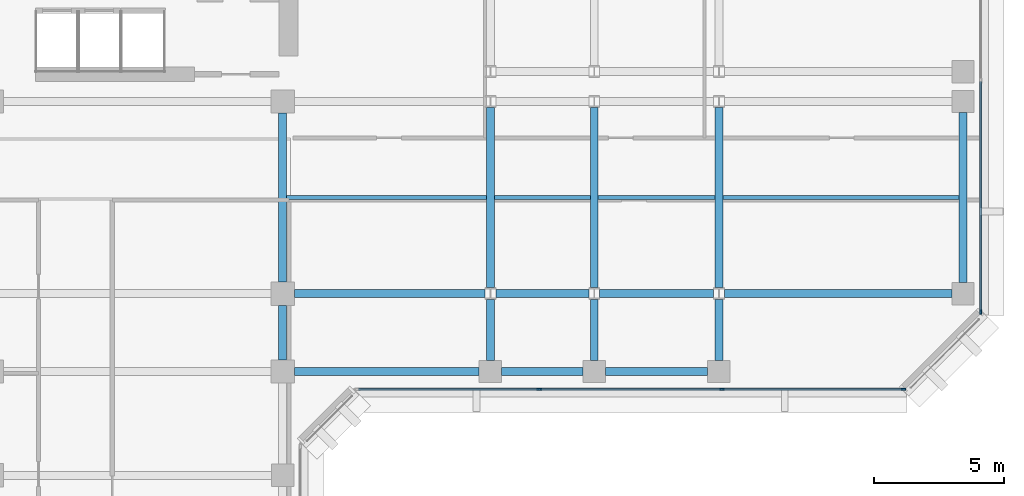
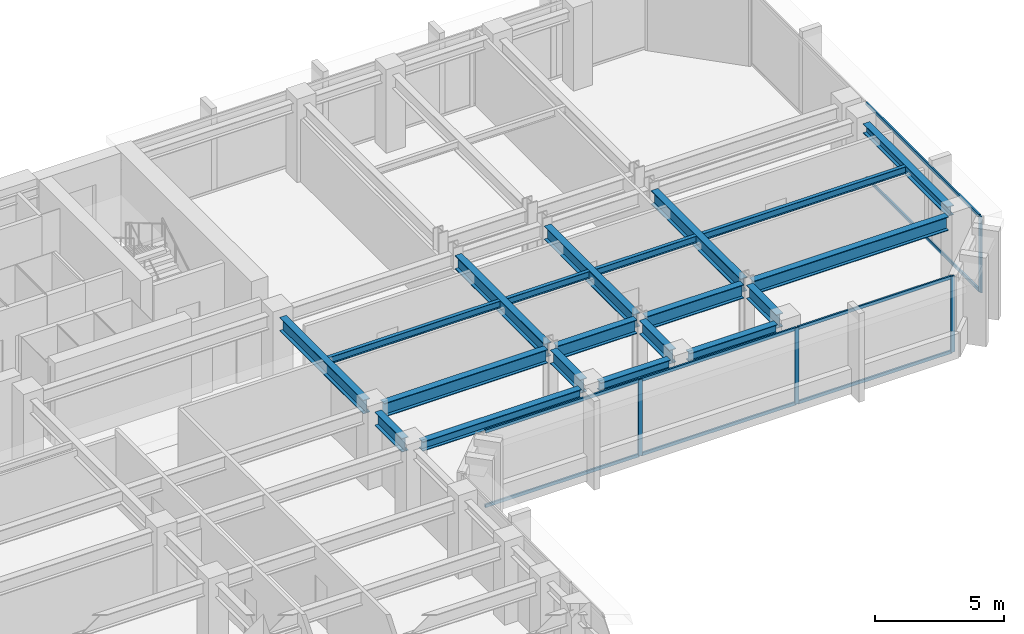
# One storey, part 3 of 11: 20 beams, 12 members, 2 elements without a shape of their own.
"""IFC4 building model written with IfcOpenShell, lengths in metres."""

from ifc_helpers import new_model, si_unit, direction, frame, origin, origin_2d, place, context, subcontext, project, spatial, rectangle, i_section, extrude, material, layer, layer_set, material_profile, profile_set, type_object, element, aggregate, save


model = new_model("IFC4")

# Units and contexts
model_context = context("Model", 3, precision=1e-05, world=origin(), true_north=direction((0.0, 1.0)))
body_context = subcontext(model_context, "Body", "Model", "MODEL_VIEW")
ifc_project = project(units=[si_unit("LENGTHUNIT", "METRE"), si_unit("AREAUNIT", "SQUARE_METRE"), si_unit("VOLUMEUNIT", "CUBIC_METRE"), si_unit("PLANEANGLEUNIT", "RADIAN"), si_unit("MASSUNIT", "GRAM", prefix="KILO")], contexts=[model_context])

# Site, building, storey
site_placement = place(None, origin())
site = spatial("IfcSite", under=ifc_project, at=site_placement, CompositionType="ELEMENT")
building_placement = place(site_placement, origin())
building = spatial("IfcBuilding", under=site, at=building_placement, Name="Kefirva Bronze Tower", CompositionType="ELEMENT")
storey_placement = place(building_placement, frame((0.0, 0.0, 170.610107421875)))
storey = spatial("IfcBuildingStorey", under=building, at=storey_placement, Name="L41", CompositionType="ELEMENT", Elevation=170.610107421875)

# Curtain wall, members
ifc_material_1 = material(Name="Bronze anodised aluminium", Category="aluminium")
ifc_layer = layer(ifc_material_1, 0.199951171875, Name="Bronze anodised aluminium")
ifc_layer_set = layer_set([ifc_layer], Name="Bronze anodised aluminium")
curtain_wall_type = type_object("IfcCurtainWallType", Name="Unitised Bronze Ribbon Curtain Wall Zone 2", PredefinedType="USERDEFINED", material=ifc_layer_set)
curtain_wall_1_placement = place(storey_placement, origin())
curtain_wall_1 = element("IfcCurtainWall", 1, at=curtain_wall_1_placement, inside=storey, type_object=curtain_wall_type, Name="L41 Curtain Wall 3", ObjectType="UNITISED CURTAIN WALL", PredefinedType="USERDEFINED")
ifc_material_profile_1 = material_profile(ifc_material_1, rectangle(XDim=0.074951171875, YDim=0.179931640625, at=origin_2d()), Name="ALU 75x180")
ifc_profile_set_1 = profile_set([ifc_material_profile_1], Name="Bronze anodised aluminium")
member_type_1 = type_object("IfcMemberType", Name="Bronze Mullion 75x180", PredefinedType="MULLION", material=ifc_profile_set_1)
member_1_placement = place(storey_placement, frame((33.0849609375, 22.1201171875, 0.0), z_axis=(0.0, 0.0, 1.0), x_axis=(0.0, 1.0, 0.0)))
member_1 = element("IfcMember", 2, at=member_1_placement, type_object=member_type_1, Name="CW-02 mullion 2", PredefinedType="MULLION", context=body_context, shape_type="SweptSolid", body=[
    extrude(rectangle(XDim=0.074951171875, YDim=0.179931640625, at=origin_2d()), origin(), (0.0, 0.0, 1.0), 3.60986328125),
])
member_2_placement = place(storey_placement, frame((40.114990234375, 22.1201171875, 0.0), z_axis=(0.0, 0.0, 1.0), x_axis=(0.0, 1.0, 0.0)))
member_2 = element("IfcMember", 3, at=member_2_placement, type_object=member_type_1, Name="CW-02 mullion 3", PredefinedType="MULLION", context=body_context, shape_type="SweptSolid", body=[
    extrude(rectangle(XDim=0.074951171875, YDim=0.179931640625, at=origin_2d()), origin(), (0.0, 0.0, 1.0), 3.60986328125),
])
member_3_placement = place(storey_placement, frame((47.107421875, 22.1201171875, 0.0), z_axis=(0.0, 0.0, 1.0), x_axis=(0.0, 1.0, 0.0)))
member_3 = element("IfcMember", 4, at=member_3_placement, type_object=member_type_1, Name="CW-02 mullion 4", PredefinedType="MULLION", context=body_context, shape_type="SweptSolid", body=[
    extrude(rectangle(XDim=0.074951171875, YDim=0.179931640625, at=origin_2d()), origin(), (0.0, 0.0, 1.0), 3.60986328125),
])

# Curtain wall, member
curtain_wall_2_placement = place(storey_placement, origin())
curtain_wall_2 = element("IfcCurtainWall", 5, at=curtain_wall_2_placement, inside=storey, type_object=curtain_wall_type, Name="L41 Curtain Wall 4", ObjectType="UNITISED CURTAIN WALL", PredefinedType="USERDEFINED")
member_4_placement = place(storey_placement, frame((50.080078125, 25.092529296875, 0.0), z_axis=(0.0, 0.0, 1.0), x_axis=(-1.0, 0.0, 0.0)))
member_4 = element("IfcMember", 6, at=member_4_placement, type_object=member_type_1, Name="CW-02 mullion 1", PredefinedType="MULLION", context=body_context, shape_type="SweptSolid", body=[
    extrude(rectangle(XDim=0.074951171875, YDim=0.179931640625, at=origin_2d()), origin(), (0.0, 0.0, 1.0), 3.60986328125),
])

# Member
ifc_material_profile_2 = material_profile(ifc_material_1, rectangle(XDim=0.074951171875, YDim=0.14990234375, at=origin_2d()), Name="ALU 75x150")
ifc_profile_set_2 = profile_set([ifc_material_profile_2], Name="Bronze anodised aluminium")
member_type_2 = type_object("IfcMemberType", Name="Bronze Transom 75x150", PredefinedType="USERDEFINED", material=ifc_profile_set_2)
member_5_placement = place(storey_placement, frame((26.1298828125, 22.1201171875, 0.037353515625), z_axis=(1.0, 0.0, 0.0), x_axis=(0.0, 1.0, 0.0)))
member_5 = element("IfcMember", 7, at=member_5_placement, type_object=member_type_2, Name="CW-02 transom 1.1", ObjectType="TRANSOM", PredefinedType="USERDEFINED", context=body_context, shape_type="SweptSolid", body=[
    extrude(rectangle(XDim=0.074951171875, YDim=0.14990234375, at=origin_2d()), origin(), (0.0, 0.0, 1.0), 6.917724609375),
])

member_6_placement = place(storey_placement, frame((26.1298828125, 22.1201171875, 3.572509765625), z_axis=(1.0, 0.0, 0.0), x_axis=(0.0, 1.0, 0.0)))
member_6 = element("IfcMember", 8, at=member_6_placement, type_object=member_type_2, Name="CW-02 transom 1.2", ObjectType="TRANSOM", PredefinedType="USERDEFINED", context=body_context, shape_type="SweptSolid", body=[
    extrude(rectangle(XDim=0.074951171875, YDim=0.14990234375, at=origin_2d()), origin(), (0.0, 0.0, 1.0), 6.917724609375),
])

member_7_placement = place(storey_placement, frame((33.12255859375, 22.1201171875, 0.037353515625), z_axis=(1.0, 0.0, 0.0), x_axis=(0.0, 1.0, 0.0)))
member_7 = element("IfcMember", 9, at=member_7_placement, type_object=member_type_2, Name="CW-02 transom 2.1", ObjectType="TRANSOM", PredefinedType="USERDEFINED", context=body_context, shape_type="SweptSolid", body=[
    extrude(rectangle(XDim=0.074951171875, YDim=0.14990234375, at=origin_2d()), origin(), (0.0, 0.0, 1.0), 6.954833984375),
])

member_8_placement = place(storey_placement, frame((33.12255859375, 22.1201171875, 3.572509765625), z_axis=(1.0, 0.0, 0.0), x_axis=(0.0, 1.0, 0.0)))
member_8 = element("IfcMember", 10, at=member_8_placement, type_object=member_type_2, Name="CW-02 transom 2.2", ObjectType="TRANSOM", PredefinedType="USERDEFINED", context=body_context, shape_type="SweptSolid", body=[
    extrude(rectangle(XDim=0.074951171875, YDim=0.14990234375, at=origin_2d()), origin(), (0.0, 0.0, 1.0), 6.954833984375),
])

member_9_placement = place(storey_placement, frame((40.152587890625, 22.1201171875, 0.037353515625), z_axis=(1.0, 0.0, 0.0), x_axis=(0.0, 1.0, 0.0)))
member_9 = element("IfcMember", 11, at=member_9_placement, type_object=member_type_2, Name="CW-02 transom 3.1", ObjectType="TRANSOM", PredefinedType="USERDEFINED", context=body_context, shape_type="SweptSolid", body=[
    extrude(rectangle(XDim=0.074951171875, YDim=0.14990234375, at=origin_2d()), origin(), (0.0, 0.0, 1.0), 6.91748046875),
])

member_10_placement = place(storey_placement, frame((40.152587890625, 22.1201171875, 3.572509765625), z_axis=(1.0, 0.0, 0.0), x_axis=(0.0, 1.0, 0.0)))
member_10 = element("IfcMember", 12, at=member_10_placement, type_object=member_type_2, Name="CW-02 transom 3.2", ObjectType="TRANSOM", PredefinedType="USERDEFINED", context=body_context, shape_type="SweptSolid", body=[
    extrude(rectangle(XDim=0.074951171875, YDim=0.14990234375, at=origin_2d()), origin(), (0.0, 0.0, 1.0), 6.91748046875),
])

aggregate(curtain_wall_1, [member_1, member_2, member_3, member_5, member_6, member_7, member_8, member_9, member_10])

member_11_placement = place(storey_placement, frame((50.080078125, 25.1298828125, 0.037353515625), z_axis=(0.0, 1.0, 0.0), x_axis=(-1.0, 0.0, 0.0)))
member_11 = element("IfcMember", 13, at=member_11_placement, type_object=member_type_2, Name="CW-02 transom 1.1", ObjectType="TRANSOM", PredefinedType="USERDEFINED", context=body_context, shape_type="SweptSolid", body=[
    extrude(rectangle(XDim=0.074951171875, YDim=0.14990234375, at=origin_2d()), origin(), (0.0, 0.0, 1.0), 8.83251953125),
])

member_12_placement = place(storey_placement, frame((50.080078125, 25.1298828125, 3.572509765625), z_axis=(0.0, 1.0, 0.0), x_axis=(-1.0, 0.0, 0.0)))
member_12 = element("IfcMember", 14, at=member_12_placement, type_object=member_type_2, Name="CW-02 transom 1.2", ObjectType="TRANSOM", PredefinedType="USERDEFINED", context=body_context, shape_type="SweptSolid", body=[
    extrude(rectangle(XDim=0.074951171875, YDim=0.14990234375, at=origin_2d()), origin(), (0.0, 0.0, 1.0), 8.83251953125),
])

aggregate(curtain_wall_2, [member_4, member_11, member_12])

# Beams
ifc_material_2 = material(Name="Steel S355", Category="steel")
ifc_material_profile_3 = material_profile(ifc_material_2, i_section(OverallWidth=0.159912109375, OverallDepth=0.330078125, WebThickness=0.007568359375, FlangeThickness=0.011474609375, at=origin_2d()), Name="IPE 330")
ifc_profile_set_3 = profile_set([ifc_material_profile_3], Name="Steel S355")
beam_type_1 = type_object("IfcBeamType", Name="Steel Floor Joist IPE 330", PredefinedType="JOIST", material=ifc_profile_set_3)
beam_1_placement = place(storey_placement, frame((23.35009765625, 29.5, 3.44482421875), z_axis=(1.0, 0.0, 0.0), x_axis=(0.0, 1.0, 0.0)))
element("IfcBeam", 15, at=beam_1_placement, inside=storey, type_object=beam_type_1, Name="L41 JST-L41-23-295", PredefinedType="JOIST", context=body_context, shape_type="SweptSolid", body=[
    extrude(i_section(OverallWidth=0.159912109375, OverallDepth=0.330078125, WebThickness=0.007568359375, FlangeThickness=0.011474609375, at=origin_2d()), origin(), (0.0, 0.0, 1.0), 7.699951171875),
])
beam_2_placement = place(storey_placement, frame((31.35009765625, 29.5, 3.44482421875), z_axis=(1.0, 0.0, 0.0), x_axis=(0.0, 1.0, 0.0)))
element("IfcBeam", 16, at=beam_2_placement, inside=storey, type_object=beam_type_1, Name="L41 JST-L41-31-295", PredefinedType="JOIST", context=body_context, shape_type="SweptSolid", body=[
    extrude(i_section(OverallWidth=0.159912109375, OverallDepth=0.330078125, WebThickness=0.007568359375, FlangeThickness=0.011474609375, at=origin_2d()), origin(), (0.0, 0.0, 1.0), 3.699951171875),
])
beam_3_placement = place(storey_placement, frame((35.35009765625, 29.5, 3.44482421875), z_axis=(1.0, 0.0, 0.0), x_axis=(0.0, 1.0, 0.0)))
element("IfcBeam", 17, at=beam_3_placement, inside=storey, type_object=beam_type_1, Name="L41 JST-L41-35-295", PredefinedType="JOIST", context=body_context, shape_type="SweptSolid", body=[
    extrude(i_section(OverallWidth=0.159912109375, OverallDepth=0.330078125, WebThickness=0.007568359375, FlangeThickness=0.011474609375, at=origin_2d()), origin(), (0.0, 0.0, 1.0), 4.5),
])
beam_4_placement = place(storey_placement, frame((40.14990234375, 29.5, 3.44482421875), z_axis=(1.0, 0.0, 0.0), x_axis=(0.0, 1.0, 0.0)))
element("IfcBeam", 18, at=beam_4_placement, inside=storey, type_object=beam_type_1, Name="L41 JST-L41-40-295", PredefinedType="JOIST", context=body_context, shape_type="SweptSolid", body=[
    extrude(i_section(OverallWidth=0.159912109375, OverallDepth=0.330078125, WebThickness=0.007568359375, FlangeThickness=0.011474609375, at=origin_2d()), origin(), (0.0, 0.0, 1.0), 9.10009765625),
])
ifc_material_profile_4 = material_profile(ifc_material_2, i_section(OverallWidth=0.300048828125, OverallDepth=0.64990234375, WebThickness=0.01611328125, FlangeThickness=0.031005859375, at=origin_2d()), Name="HEB 650")
ifc_profile_set_4 = profile_set([ifc_material_profile_4], Name="Steel S355")
beam_type_2 = type_object("IfcBeamType", Name="Steel Girder HEB 650", PredefinedType="USERDEFINED", material=ifc_profile_set_4)
beam_5_placement = place(storey_placement, frame((23.64990234375, 25.800048828125, 3.284912109375), z_axis=(1.0, 0.0, 0.0), x_axis=(0.0, 1.0, 0.0)))
element("IfcBeam", 19, at=beam_5_placement, inside=storey, type_object=beam_type_2, Name="L41 BM-L41-EW-23-258", ObjectType="GIRDER", PredefinedType="USERDEFINED", context=body_context, shape_type="SweptSolid", body=[
    extrude(i_section(OverallWidth=0.300048828125, OverallDepth=0.64990234375, WebThickness=0.01611328125, FlangeThickness=0.031005859375, at=origin_2d()), origin(), (0.0, 0.0, 1.0), 7.341064453125),
])
beam_6_placement = place(storey_placement, frame((31.408935546875, 25.800048828125, 3.284912109375), z_axis=(1.0, 0.0, 0.0), x_axis=(0.0, 1.0, 0.0)))
element("IfcBeam", 20, at=beam_6_placement, inside=storey, type_object=beam_type_2, Name="L41 BM-L41-EW-31-258", ObjectType="GIRDER", PredefinedType="USERDEFINED", context=body_context, shape_type="SweptSolid", body=[
    extrude(i_section(OverallWidth=0.300048828125, OverallDepth=0.64990234375, WebThickness=0.01611328125, FlangeThickness=0.031005859375, at=origin_2d()), origin(), (0.0, 0.0, 1.0), 3.58203125),
])
beam_7_placement = place(storey_placement, frame((35.408935546875, 25.800048828125, 3.284912109375), z_axis=(1.0, 0.0, 0.0), x_axis=(0.0, 1.0, 0.0)))
element("IfcBeam", 21, at=beam_7_placement, inside=storey, type_object=beam_type_2, Name="L41 BM-L41-EW-35-258", ObjectType="GIRDER", PredefinedType="USERDEFINED", context=body_context, shape_type="SweptSolid", body=[
    extrude(i_section(OverallWidth=0.300048828125, OverallDepth=0.64990234375, WebThickness=0.01611328125, FlangeThickness=0.031005859375, at=origin_2d()), origin(), (0.0, 0.0, 1.0), 4.382080078125),
])
beam_8_placement = place(storey_placement, frame((40.208984375, 25.800048828125, 3.284912109375), z_axis=(1.0, 0.0, 0.0), x_axis=(0.0, 1.0, 0.0)))
element("IfcBeam", 22, at=beam_8_placement, inside=storey, type_object=beam_type_2, Name="L41 BM-L41-EW-40-258", ObjectType="GIRDER", PredefinedType="USERDEFINED", context=body_context, shape_type="SweptSolid", body=[
    extrude(i_section(OverallWidth=0.300048828125, OverallDepth=0.64990234375, WebThickness=0.01611328125, FlangeThickness=0.031005859375, at=origin_2d()), origin(), (0.0, 0.0, 1.0), 8.760986328125),
])
beam_9_placement = place(storey_placement, frame((23.199951171875, 23.25, 3.284912109375), z_axis=(0.0, 1.0, 0.0), x_axis=(-1.0, 0.0, 0.0)))
element("IfcBeam", 23, at=beam_9_placement, inside=storey, type_object=beam_type_2, Name="L41 BM-L41-NS-232-22", ObjectType="GIRDER", PredefinedType="USERDEFINED", context=body_context, shape_type="SweptSolid", body=[
    extrude(i_section(OverallWidth=0.300048828125, OverallDepth=0.64990234375, WebThickness=0.01611328125, FlangeThickness=0.031005859375, at=origin_2d()), origin(), (0.0, 0.0, 1.0), 2.10009765625),
])
beam_10_placement = place(storey_placement, frame((23.199951171875, 26.25, 3.284912109375), z_axis=(0.0, 1.0, 0.0), x_axis=(-1.0, 0.0, 0.0)))
element("IfcBeam", 24, at=beam_10_placement, inside=storey, type_object=beam_type_2, Name="L41 BM-L41-NS-232-25", ObjectType="GIRDER", PredefinedType="USERDEFINED", context=body_context, shape_type="SweptSolid", body=[
    extrude(i_section(OverallWidth=0.300048828125, OverallDepth=0.64990234375, WebThickness=0.01611328125, FlangeThickness=0.031005859375, at=origin_2d()), origin(), (0.0, 0.0, 1.0), 6.5),
])
beam_11_placement = place(storey_placement, frame((31.199951171875, 23.22998046875, 3.284912109375), z_axis=(0.0, 1.0, 0.0), x_axis=(-1.0, 0.0, 0.0)))
element("IfcBeam", 25, at=beam_11_placement, inside=storey, type_object=beam_type_2, Name="L41 BM-L41-NS-312-22", ObjectType="GIRDER", PredefinedType="USERDEFINED", context=body_context, shape_type="SweptSolid", body=[
    extrude(i_section(OverallWidth=0.300048828125, OverallDepth=0.64990234375, WebThickness=0.01611328125, FlangeThickness=0.031005859375, at=origin_2d()), origin(), (0.0, 0.0, 1.0), 2.342529296875),
])
beam_12_placement = place(storey_placement, frame((31.199951171875, 26.027587890625, 3.284912109375), z_axis=(0.0, 1.0, 0.0), x_axis=(-1.0, 0.0, 0.0)))
element("IfcBeam", 26, at=beam_12_placement, inside=storey, type_object=beam_type_2, Name="L41 BM-L41-NS-312-25", ObjectType="GIRDER", PredefinedType="USERDEFINED", context=body_context, shape_type="SweptSolid", body=[
    extrude(i_section(OverallWidth=0.300048828125, OverallDepth=0.64990234375, WebThickness=0.01611328125, FlangeThickness=0.031005859375, at=origin_2d()), origin(), (0.0, 0.0, 1.0), 6.94482421875),
])
beam_13_placement = place(storey_placement, frame((35.199951171875, 23.22998046875, 3.284912109375), z_axis=(0.0, 1.0, 0.0), x_axis=(-1.0, 0.0, 0.0)))
element("IfcBeam", 27, at=beam_13_placement, inside=storey, type_object=beam_type_2, Name="L41 BM-L41-NS-352-22", ObjectType="GIRDER", PredefinedType="USERDEFINED", context=body_context, shape_type="SweptSolid", body=[
    extrude(i_section(OverallWidth=0.300048828125, OverallDepth=0.64990234375, WebThickness=0.01611328125, FlangeThickness=0.031005859375, at=origin_2d()), origin(), (0.0, 0.0, 1.0), 2.342529296875),
])
beam_14_placement = place(storey_placement, frame((35.199951171875, 26.027587890625, 3.284912109375), z_axis=(0.0, 1.0, 0.0), x_axis=(-1.0, 0.0, 0.0)))
element("IfcBeam", 28, at=beam_14_placement, inside=storey, type_object=beam_type_2, Name="L41 BM-L41-NS-352-25", ObjectType="GIRDER", PredefinedType="USERDEFINED", context=body_context, shape_type="SweptSolid", body=[
    extrude(i_section(OverallWidth=0.300048828125, OverallDepth=0.64990234375, WebThickness=0.01611328125, FlangeThickness=0.031005859375, at=origin_2d()), origin(), (0.0, 0.0, 1.0), 6.94482421875),
])
beam_15_placement = place(storey_placement, frame((40.0, 23.22998046875, 3.284912109375), z_axis=(0.0, 1.0, 0.0), x_axis=(-1.0, 0.0, 0.0)))
element("IfcBeam", 29, at=beam_15_placement, inside=storey, type_object=beam_type_2, Name="L41 BM-L41-NS-400-22", ObjectType="GIRDER", PredefinedType="USERDEFINED", context=body_context, shape_type="SweptSolid", body=[
    extrude(i_section(OverallWidth=0.300048828125, OverallDepth=0.64990234375, WebThickness=0.01611328125, FlangeThickness=0.031005859375, at=origin_2d()), origin(), (0.0, 0.0, 1.0), 2.342529296875),
])
beam_16_placement = place(storey_placement, frame((40.0, 26.027587890625, 3.284912109375), z_axis=(0.0, 1.0, 0.0), x_axis=(-1.0, 0.0, 0.0)))
element("IfcBeam", 30, at=beam_16_placement, inside=storey, type_object=beam_type_2, Name="L41 BM-L41-NS-400-25", ObjectType="GIRDER", PredefinedType="USERDEFINED", context=body_context, shape_type="SweptSolid", body=[
    extrude(i_section(OverallWidth=0.300048828125, OverallDepth=0.64990234375, WebThickness=0.01611328125, FlangeThickness=0.031005859375, at=origin_2d()), origin(), (0.0, 0.0, 1.0), 6.94482421875),
])
ifc_material_profile_5 = material_profile(ifc_material_2, i_section(OverallWidth=0.300048828125, OverallDepth=0.449951171875, WebThickness=0.013916015625, FlangeThickness=0.02587890625, at=origin_2d()), Name="HEB 450")
ifc_profile_set_5 = profile_set([ifc_material_profile_5], Name="Steel S355")
beam_type_3 = type_object("IfcBeamType", Name="Steel Spandrel HEB 450 Ext", PredefinedType="SPANDREL", material=ifc_profile_set_5)
beam_17_placement = place(storey_placement, frame((23.64990234375, 22.800048828125, 3.385009765625), z_axis=(1.0, 0.0, 0.0), x_axis=(0.0, 1.0, 0.0)))
element("IfcBeam", 31, at=beam_17_placement, inside=storey, type_object=beam_type_3, Name="L41 BM-L41-EW-23-228", PredefinedType="SPANDREL", context=body_context, shape_type="SweptSolid", body=[
    extrude(i_section(OverallWidth=0.300048828125, OverallDepth=0.449951171875, WebThickness=0.013916015625, FlangeThickness=0.02587890625, at=origin_2d()), origin(), (0.0, 0.0, 1.0), 7.1201171875),
])
beam_18_placement = place(storey_placement, frame((31.6298828125, 22.800048828125, 3.385009765625), z_axis=(1.0, 0.0, 0.0), x_axis=(0.0, 1.0, 0.0)))
element("IfcBeam", 32, at=beam_18_placement, inside=storey, type_object=beam_type_3, Name="L41 BM-L41-EW-31-228", PredefinedType="SPANDREL", context=body_context, shape_type="SweptSolid", body=[
    extrude(i_section(OverallWidth=0.300048828125, OverallDepth=0.449951171875, WebThickness=0.013916015625, FlangeThickness=0.02587890625, at=origin_2d()), origin(), (0.0, 0.0, 1.0), 3.14013671875),
])
beam_19_placement = place(storey_placement, frame((35.6298828125, 22.800048828125, 3.385009765625), z_axis=(1.0, 0.0, 0.0), x_axis=(0.0, 1.0, 0.0)))
element("IfcBeam", 33, at=beam_19_placement, inside=storey, type_object=beam_type_3, Name="L41 BM-L41-EW-35-228", PredefinedType="SPANDREL", context=body_context, shape_type="SweptSolid", body=[
    extrude(i_section(OverallWidth=0.300048828125, OverallDepth=0.449951171875, WebThickness=0.013916015625, FlangeThickness=0.02587890625, at=origin_2d()), origin(), (0.0, 0.0, 1.0), 3.940185546875),
])
beam_20_placement = place(storey_placement, frame((49.39990234375, 26.22998046875, 3.385009765625), z_axis=(0.0, 1.0, 0.0), x_axis=(-1.0, 0.0, 0.0)))
element("IfcBeam", 34, at=beam_20_placement, inside=storey, type_object=beam_type_3, Name="L41 BM-L41-NS-494-25", PredefinedType="SPANDREL", context=body_context, shape_type="SweptSolid", body=[
    extrude(i_section(OverallWidth=0.300048828125, OverallDepth=0.449951171875, WebThickness=0.013916015625, FlangeThickness=0.02587890625, at=origin_2d()), origin(), (0.0, 0.0, 1.0), 6.5400390625),
])

save(model, "model.ifc")
